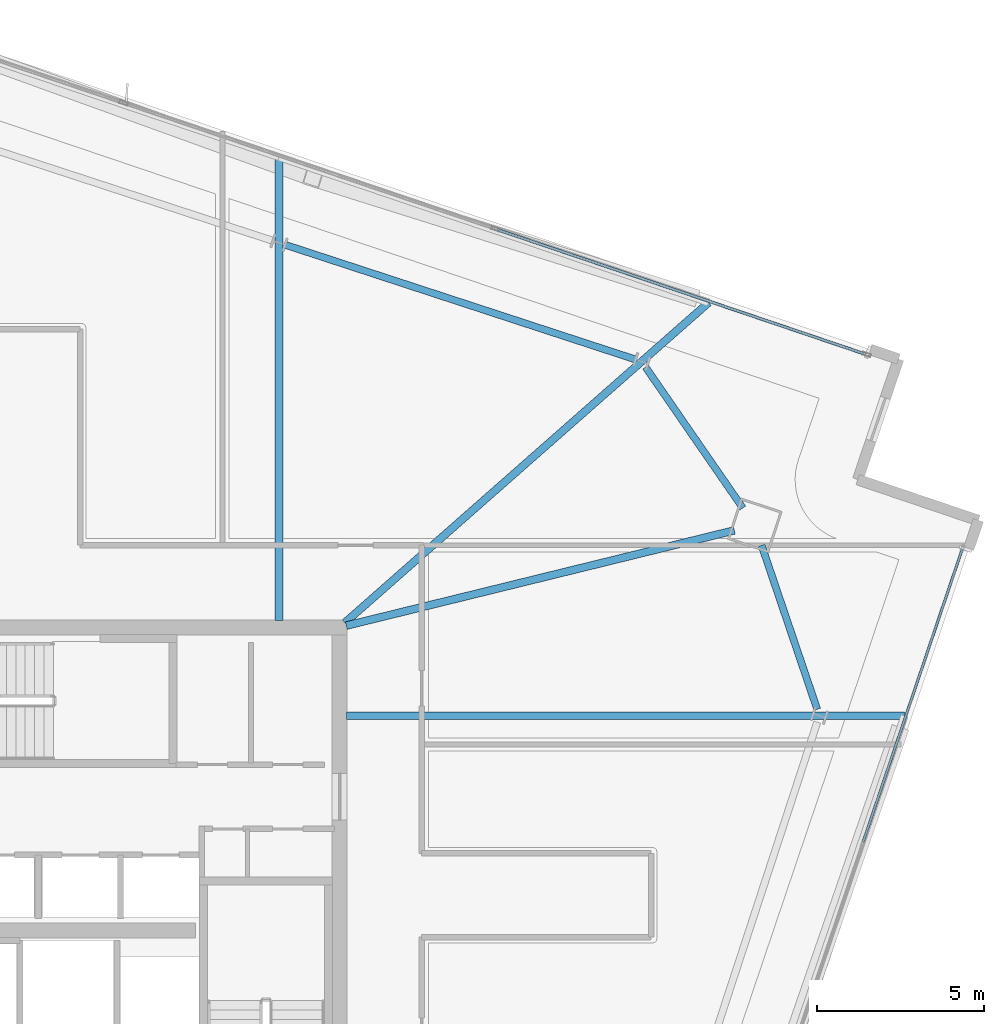
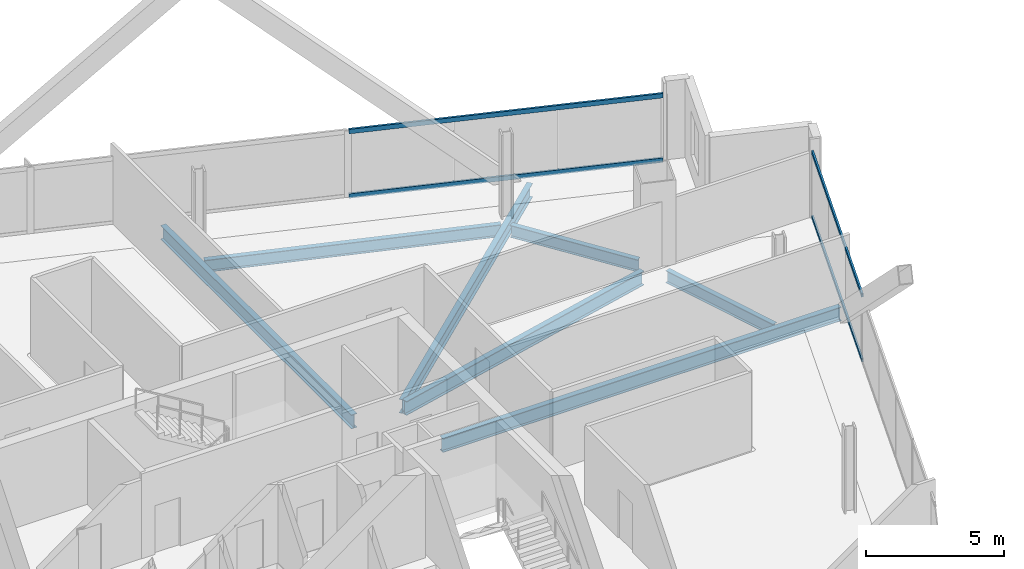
# One storey, part 17 of 29: 7 beams, 4 members, 2 elements without a shape of their own.
"""IFC4 building model written with IfcOpenShell, lengths in metres."""

from ifc_helpers import new_model, si_unit, direction, frame, origin, origin_2d, place, context, subcontext, project, spatial, hollow_rectangle, i_section, extrude, material, material_profile, profile_set, type_object, element, aggregate, save


model = new_model("IFC4")

# Units and contexts
model_context = context("Model", 3, precision=1e-05, world=origin(), true_north=direction((0.0, 1.0)))
body_context = subcontext(model_context, "Body", "Model", "MODEL_VIEW")
ifc_project = project(units=[si_unit("LENGTHUNIT", "METRE"), si_unit("AREAUNIT", "SQUARE_METRE"), si_unit("VOLUMEUNIT", "CUBIC_METRE"), si_unit("PLANEANGLEUNIT", "RADIAN"), si_unit("MASSUNIT", "GRAM", prefix="KILO")], contexts=[model_context])

# Site, building, storey
site_placement = place(None, origin())
site = spatial("IfcSite", under=ifc_project, at=site_placement, CompositionType="ELEMENT")
building_placement = place(site_placement, origin())
building = spatial("IfcBuilding", under=site, at=building_placement, Name="Haldenkirk Collegiate Tower", CompositionType="ELEMENT")
storey_placement = place(building_placement, frame((0.0, 0.0, 267.449951171875)))
storey = spatial("IfcBuildingStorey", under=building, at=storey_placement, Name="L67", CompositionType="ELEMENT", Elevation=267.449951171875)

# Beams
ifc_material_1 = material(Name="Steel ASTM A992 Grade 50", Category="steel")
ifc_material_profile_1 = material_profile(ifc_material_1, i_section(OverallWidth=0.22998046875, OverallDepth=0.616943359375, WebThickness=0.01318359375, FlangeThickness=0.022216796875, at=origin_2d()), Name="W24X94")
ifc_profile_set_1 = profile_set([ifc_material_profile_1], Name="Steel ASTM A992 Grade 50")
beam_type_1 = type_object("IfcBeamType", Name="BM-GIRDER-W24X94", PredefinedType="BEAM", material=ifc_profile_set_1)
beam_1_placement = place(storey_placement, frame((56.783935546875, 36.893310546875, -0.578369140625), z_axis=(-0.971153636509, -0.238454637815, 0.0), x_axis=(0.238454637815, -0.971153636509, 0.0)))
element("IfcBeam", 1, at=beam_1_placement, inside=storey, type_object=beam_type_1, Name="L67 primary floor girder 02", PredefinedType="BEAM", context=body_context, shape_type="SweptSolid", body=[
    extrude(i_section(OverallWidth=0.22998046875, OverallDepth=0.616943359375, WebThickness=0.01318359375, FlangeThickness=0.022216796875, at=origin_2d()), origin(), (0.0, 0.0, 1.0), 11.9287109375),
])
beam_2_placement = place(storey_placement, frame((61.864013671875, 31.360107421875, -0.578369140625), z_axis=(-1.0, 0.0, 0.0), x_axis=(0.0, -1.0, 0.0)))
element("IfcBeam", 2, at=beam_2_placement, inside=storey, type_object=beam_type_1, Name="L67 primary floor girder 07", PredefinedType="BEAM", context=body_context, shape_type="SweptSolid", body=[
    extrude(i_section(OverallWidth=0.22998046875, OverallDepth=0.616943359375, WebThickness=0.01318359375, FlangeThickness=0.022216796875, at=origin_2d()), origin(), (0.0, 0.0, 1.0), 16.658935546875),
])
beam_3_placement = place(storey_placement, frame((56.017578125, 43.6962890625, -0.578369140625), z_axis=(-0.750690424514, -0.660654135341, 0.0), x_axis=(0.660654135341, -0.750690424514, 0.0)))
element("IfcBeam", 3, at=beam_3_placement, inside=storey, type_object=beam_type_1, Name="L67 primary floor girder 08", PredefinedType="BEAM", context=body_context, shape_type="SweptSolid", body=[
    extrude(i_section(OverallWidth=0.22998046875, OverallDepth=0.616943359375, WebThickness=0.01318359375, FlangeThickness=0.022216796875, at=origin_2d()), origin(), (0.0, 0.0, 1.0), 14.4716796875),
])
beam_4_placement = place(storey_placement, frame((43.18994140625, 48.0380859375, -0.578369140625), z_axis=(0.0, -1.0, 0.0), x_axis=(1.0, 0.0, 0.0)))
element("IfcBeam", 4, at=beam_4_placement, inside=storey, type_object=beam_type_1, Name="L67 primary floor girder 09", PredefinedType="BEAM", context=body_context, shape_type="SweptSolid", body=[
    extrude(i_section(OverallWidth=0.22998046875, OverallDepth=0.616943359375, WebThickness=0.01318359375, FlangeThickness=0.022216796875, at=origin_2d()), origin(), (0.0, 0.0, 1.0), 13.8330078125),
])
ifc_material_profile_2 = material_profile(ifc_material_1, i_section(OverallWidth=0.2099609375, OverallDepth=0.537109375, WebThickness=0.010986328125, FlangeThickness=0.017333984375, at=origin_2d()), Name="W21X68")
ifc_profile_set_2 = profile_set([ifc_material_profile_2], Name="Steel ASTM A992 Grade 50")
beam_type_2 = type_object("IfcBeamType", Name="BM-SPANDREL-W21X68", PredefinedType="SPANDREL", material=ifc_profile_set_2)
beam_5_placement = place(storey_placement, frame((59.258544921875, 31.5517578125, -0.538330078125), z_axis=(-0.321225245884, 0.947002820168, 0.0), x_axis=(-0.947002820168, -0.321225245884, 0.0)))
element("IfcBeam", 5, at=beam_5_placement, inside=storey, type_object=beam_type_2, Name="L67 perimeter spandrel beam 04", PredefinedType="SPANDREL", context=body_context, shape_type="SweptSolid", body=[
    extrude(i_section(OverallWidth=0.2099609375, OverallDepth=0.537109375, WebThickness=0.010986328125, FlangeThickness=0.017333984375, at=origin_2d()), origin(), (0.0, 0.0, 1.0), 5.1689453125),
])
beam_6_placement = place(storey_placement, frame((57.037841796875, 37.56201171875, -0.538330078125), z_axis=(-0.568092176681, 0.822964931692, 0.0), x_axis=(-0.822964931692, -0.568092176681, 0.0)))
element("IfcBeam", 6, at=beam_6_placement, inside=storey, type_object=beam_type_2, Name="L67 perimeter spandrel beam 05", PredefinedType="SPANDREL", context=body_context, shape_type="SweptSolid", body=[
    extrude(i_section(OverallWidth=0.2099609375, OverallDepth=0.537109375, WebThickness=0.010986328125, FlangeThickness=0.017333984375, at=origin_2d()), origin(), (0.0, 0.0, 1.0), 5.11328125),
])
beam_7_placement = place(storey_placement, frame((53.825439453125, 41.99951171875, -0.538330078125), z_axis=(-0.950402144652, 0.311023734531, 0.0), x_axis=(-0.311023734531, -0.950402144652, 0.0)))
element("IfcBeam", 7, at=beam_7_placement, inside=storey, type_object=beam_type_2, Name="L67 perimeter spandrel beam 06", PredefinedType="SPANDREL", context=body_context, shape_type="SweptSolid", body=[
    extrude(i_section(OverallWidth=0.2099609375, OverallDepth=0.537109375, WebThickness=0.010986328125, FlangeThickness=0.017333984375, at=origin_2d()), origin(), (0.0, 0.0, 1.0), 10.98779296875),
])

# Curtain wall, members
ifc_material_2 = material(Name="Anodised architectural bronze aluminium", Category="aluminium")
curtain_wall_type_1 = type_object("IfcCurtainWallType", Name="CW-SYS2-CONCAVE", PredefinedType="USERDEFINED", material=ifc_material_2)
curtain_wall_1_placement = place(storey_placement, origin())
curtain_wall_1 = element("IfcCurtainWall", 8, at=curtain_wall_1_placement, inside=storey, type_object=curtain_wall_type_1, Name="L67 South concave recessed bronze-anodised curtain wall", ObjectType="UNITISED CURTAIN WALL", PredefinedType="USERDEFINED")
ifc_material_profile_3 = material_profile(ifc_material_2, hollow_rectangle(XDim=0.074951171875, YDim=0.159912109375, WallThickness=0.0048828125, at=origin_2d()), Name="CW-TRN-02")
ifc_profile_set_3 = profile_set([ifc_material_profile_3], Name="Anodised architectural bronze aluminium")
member_type_1 = type_object("IfcMemberType", Name="CW-TRN-02", PredefinedType="USERDEFINED", material=ifc_profile_set_3)
member_1_placement = place(storey_placement, frame((63.586669921875, 36.325439453125, 0.03759765625), z_axis=(-0.320608942548, -0.947211647921, 0.0), x_axis=(0.947211647921, -0.320608942548, 0.0)))
member_1 = element("IfcMember", 9, at=member_1_placement, type_object=member_type_1, Name="CW-02 transom 1.1", ObjectType="TRANSOM", PredefinedType="USERDEFINED", context=body_context, shape_type="SweptSolid", body=[
    extrude(hollow_rectangle(XDim=0.074951171875, YDim=0.159912109375, WallThickness=0.0048828125, at=origin_2d()), origin(), (0.0, 0.0, 1.0), 9.237548828125),
])
member_2_placement = place(storey_placement, frame((63.586669921875, 36.325439453125, 2.900634765625), z_axis=(-0.320608942548, -0.947211647921, 0.0), x_axis=(0.947211647921, -0.320608942548, 0.0)))
member_2 = element("IfcMember", 10, at=member_2_placement, type_object=member_type_1, Name="CW-02 transom 1.2", ObjectType="TRANSOM", PredefinedType="USERDEFINED", context=body_context, shape_type="SweptSolid", body=[
    extrude(hollow_rectangle(XDim=0.074951171875, YDim=0.159912109375, WallThickness=0.0048828125, at=origin_2d()), origin(), (0.0, 0.0, 1.0), 9.237548828125),
])
aggregate(curtain_wall_1, [member_1, member_2])

curtain_wall_type_2 = type_object("IfcCurtainWallType", Name="CW-SYS1B-CONVEX-HI", PredefinedType="USERDEFINED", material=ifc_material_2)
curtain_wall_2_placement = place(storey_placement, origin())
curtain_wall_2 = element("IfcCurtainWall", 11, at=curtain_wall_2_placement, inside=storey, type_object=curtain_wall_type_2, Name="L67 Upper tower high-wind convex bronze unitised curtain wall", ObjectType="UNITISED CURTAIN WALL", PredefinedType="USERDEFINED")
ifc_material_profile_4 = material_profile(ifc_material_2, hollow_rectangle(XDim=0.0849609375, YDim=0.199951171875, WallThickness=0.0048828125, at=origin_2d()), Name="CW-TRN-1B")
ifc_profile_set_4 = profile_set([ifc_material_profile_4], Name="Anodised architectural bronze aluminium")
member_type_2 = type_object("IfcMemberType", Name="CW-TRN-1B", PredefinedType="USERDEFINED", material=ifc_profile_set_4)
member_3_placement = place(storey_placement, frame((49.704833984375, 45.875244140625, 0.04248046875), z_axis=(0.947211153823, -0.320610402315, 0.0), x_axis=(0.320610402315, 0.947211153823, 0.0)))
member_3 = element("IfcMember", 12, at=member_3_placement, type_object=member_type_2, Name="CW-1B transom 3.1", ObjectType="TRANSOM", PredefinedType="USERDEFINED", context=body_context, shape_type="SweptSolid", body=[
    extrude(hollow_rectangle(XDim=0.0849609375, YDim=0.199951171875, WallThickness=0.0048828125, at=origin_2d()), origin(), (0.0, 0.0, 1.0), 11.605712890625),
])
member_4_placement = place(storey_placement, frame((49.704833984375, 45.875244140625, 2.8955078125), z_axis=(0.947211153823, -0.320610402315, 0.0), x_axis=(0.320610402315, 0.947211153823, 0.0)))
member_4 = element("IfcMember", 13, at=member_4_placement, type_object=member_type_2, Name="CW-1B transom 3.2", ObjectType="TRANSOM", PredefinedType="USERDEFINED", context=body_context, shape_type="SweptSolid", body=[
    extrude(hollow_rectangle(XDim=0.0849609375, YDim=0.199951171875, WallThickness=0.0048828125, at=origin_2d()), origin(), (0.0, 0.0, 1.0), 11.605712890625),
])
aggregate(curtain_wall_2, [member_3, member_4])

save(model, "model.ifc")
